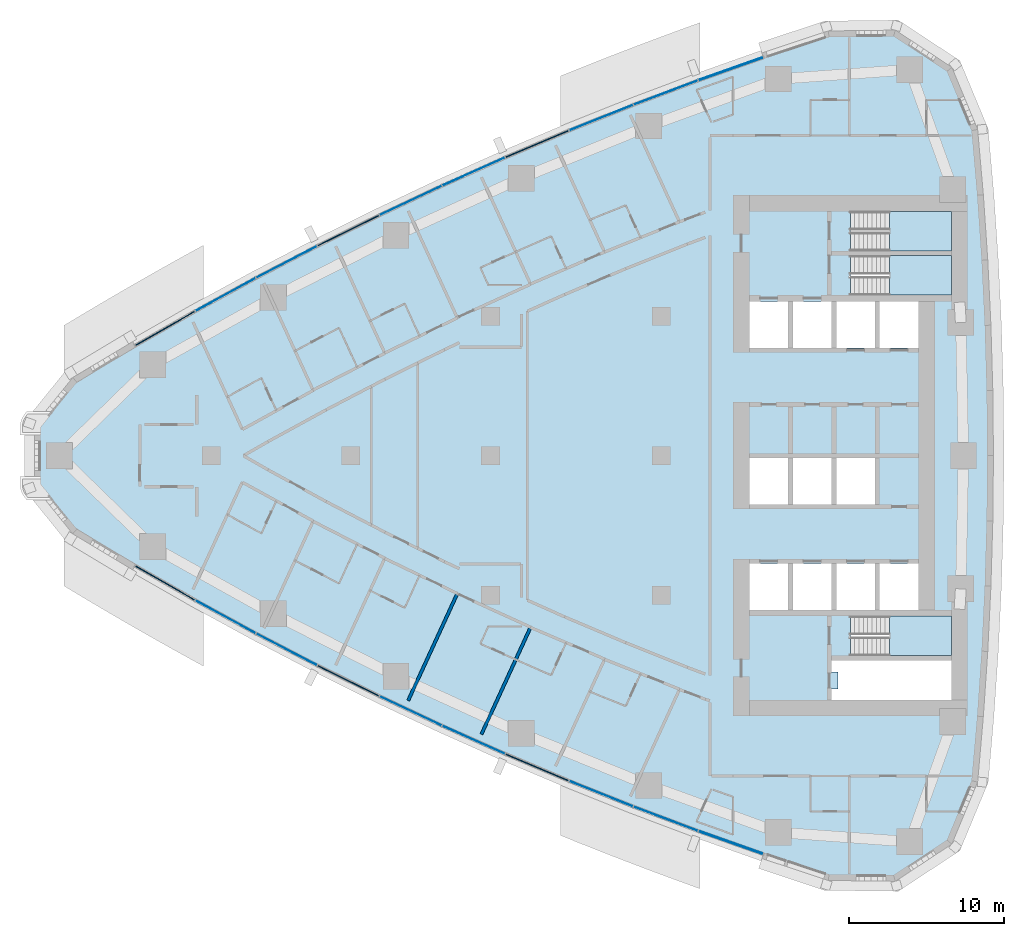
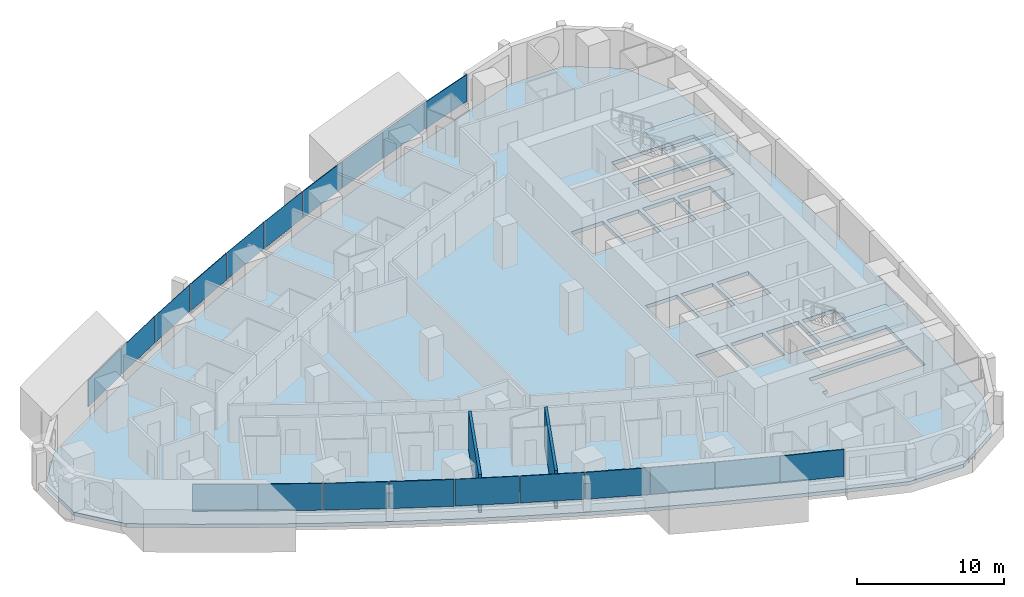
# One storey, part 7 of 17: 20 plates, 4 slabs, 2 walls, 1 opening, 13 elements without a shape of their own.
"""IFC4 building model written with IfcOpenShell, lengths in metres."""

from ifc_helpers import new_model, si_unit, direction, frame, frame_2d, origin, origin_2d, place, context, subcontext, project, spatial, polyline, rectangle, outline, extrude, material, layer, layer_set, type_object, element, aggregate, save


model = new_model("IFC4")

# Units and contexts
model_context = context("Model", 3, precision=1e-05, world=origin(), true_north=direction((0.0, 1.0)))
body_context = subcontext(model_context, "Body", "Model", "MODEL_VIEW")
ifc_project = project(units=[si_unit("LENGTHUNIT", "METRE"), si_unit("AREAUNIT", "SQUARE_METRE"), si_unit("VOLUMEUNIT", "CUBIC_METRE"), si_unit("PLANEANGLEUNIT", "RADIAN"), si_unit("MASSUNIT", "GRAM", prefix="KILO")], contexts=[model_context])

# Site, building, storey
site_placement = place(None, origin())
site = spatial("IfcSite", under=ifc_project, at=site_placement, CompositionType="ELEMENT")
building_placement = place(site_placement, origin())
building = spatial("IfcBuilding", under=site, at=building_placement, Name="Ostrand Prow Hotel Tower", CompositionType="ELEMENT")
storey_placement = place(building_placement, frame((0.0, 0.0, 116.85009765625)))
storey = spatial("IfcBuildingStorey", under=building, at=storey_placement, Name="L28", CompositionType="ELEMENT", Elevation=116.85009765625)

# Curtain wall, plate
ifc_material_1 = material(Name="Insulated glass in bronze anodised frame", Category="glass")
ifc_layer_1 = layer(ifc_material_1, 0.199951171875)
ifc_layer_set_1 = layer_set([ifc_layer_1], Name="Insulated glass in bronze anodised frame")
curtain_wall_type = type_object("IfcCurtainWallType", Name="Strip curtain wall, fritted glass over bronze spandrel", PredefinedType="NOTDEFINED", material=ifc_layer_set_1)
curtain_wall_1_placement = place(storey_placement, origin())
curtain_wall_1 = element("IfcCurtainWall", 1, at=curtain_wall_1_placement, inside=storey, type_object=curtain_wall_type, Name="CW1 run CWS1", PredefinedType="NOTDEFINED")
ifc_material_2 = material(Name="Ceramic-fritted glass", Category="glass")
ifc_layer_2 = layer(ifc_material_2, 0.031982421875)
ifc_layer_set_2 = layer_set([ifc_layer_2], Name="Ceramic-fritted glass")
plate_type_1 = type_object("IfcPlateType", Name="Dot-fritted ceramic glass unit 32 mm", PredefinedType="CURTAIN_PANEL", material=ifc_layer_set_2)
plate_1_placement = place(storey_placement, frame((16.910888671875, -10.39111328125, 1.02001953125), z_axis=(0.0, 0.0, 1.0), x_axis=(0.877466978439, -0.479637052103, 0.0)))
plate_1 = element("IfcPlate", 2, at=plate_1_placement, type_object=plate_type_1, Name="CW1 PN-D panel 2.2", PredefinedType="CURTAIN_PANEL", context=body_context, shape_type="SweptSolid", body=[
    extrude(rectangle(XDim=4.406005859375, YDim=0.031982421875, at=origin_2d()), origin(), (0.0, 0.0, 1.0), 2.22998046875),
])

curtain_wall_2_placement = place(storey_placement, origin())
curtain_wall_2 = element("IfcCurtainWall", 3, at=curtain_wall_2_placement, inside=storey, type_object=curtain_wall_type, Name="CW1 run CWS2", PredefinedType="NOTDEFINED")
plate_2_placement = place(storey_placement, frame((20.8505859375, -12.49365234375, 1.02001953125), z_axis=(0.0, 0.0, 1.0), x_axis=(0.886896367661, -0.461968432937, 0.0)))
plate_2 = element("IfcPlate", 4, at=plate_2_placement, type_object=plate_type_1, Name="CW1 PN-D panel 1.2", PredefinedType="CURTAIN_PANEL", context=body_context, shape_type="SweptSolid", body=[
    extrude(rectangle(XDim=4.406005859375, YDim=0.031982421875, at=origin_2d()), origin(), (0.0, 0.0, 1.0), 2.22998046875),
])

# Curtain wall, plates
curtain_wall_3_placement = place(storey_placement, origin())
curtain_wall_3 = element("IfcCurtainWall", 5, at=curtain_wall_3_placement, inside=storey, type_object=curtain_wall_type, Name="CW1 run CWS3", PredefinedType="NOTDEFINED")
plate_3_placement = place(storey_placement, frame((28.852783203125, -16.4599609375, 1.02001953125), z_axis=(0.0, 0.0, 1.0), x_axis=(0.904685808958, -0.426079320162, 0.0)))
plate_3 = element("IfcPlate", 6, at=plate_3_placement, type_object=plate_type_1, Name="CW1 PN-D panel 1.2", PredefinedType="CURTAIN_PANEL", context=body_context, shape_type="SweptSolid", body=[
    extrude(rectangle(XDim=4.406005859375, YDim=0.031982421875, at=origin_2d()), origin(), (0.0, 0.0, 1.0), 2.22998046875),
])
plate_4_placement = place(storey_placement, frame((32.911865234375, -18.322265625, 1.02001953125), z_axis=(0.0, 0.0, 1.0), x_axis=(0.913037887435, -0.407874755419, 0.0)))
plate_4 = element("IfcPlate", 7, at=plate_4_placement, type_object=plate_type_1, Name="CW1 PN-D panel 2.2", PredefinedType="CURTAIN_PANEL", context=body_context, shape_type="SweptSolid", body=[
    extrude(rectangle(XDim=4.406005859375, YDim=0.031982421875, at=origin_2d()), origin(), (0.0, 0.0, 1.0), 2.22998046875),
])
aggregate(curtain_wall_3, [plate_3, plate_4])

# Curtain wall, plate
curtain_wall_4_placement = place(storey_placement, origin())
curtain_wall_4 = element("IfcCurtainWall", 8, at=curtain_wall_4_placement, inside=storey, type_object=curtain_wall_type, Name="CW1 run CWS4", PredefinedType="NOTDEFINED")
plate_5_placement = place(storey_placement, frame((41.137451171875, -21.801025390625, 1.02001953125), z_axis=(0.0, 0.0, 1.0), x_axis=(0.928640008649, -0.370982121315, 0.0)))
plate_5 = element("IfcPlate", 9, at=plate_5_placement, type_object=plate_type_1, Name="CW1 PN-D panel 2.2", PredefinedType="CURTAIN_PANEL", context=body_context, shape_type="SweptSolid", body=[
    extrude(rectangle(XDim=4.406005859375, YDim=0.031982421875, at=origin_2d()), origin(), (0.0, 0.0, 1.0), 2.22998046875),
])

curtain_wall_5_placement = place(storey_placement, origin())
curtain_wall_5 = element("IfcCurtainWall", 10, at=curtain_wall_5_placement, inside=storey, type_object=curtain_wall_type, Name="CW1 run CWS5", PredefinedType="NOTDEFINED")
plate_6_placement = place(storey_placement, frame((45.301025390625, -23.416015625, 1.02001953125), z_axis=(0.0, 0.0, 1.0), x_axis=(0.935883792387, -0.35230885193, 0.0)))
plate_6 = element("IfcPlate", 11, at=plate_6_placement, type_object=plate_type_1, Name="CW1 PN-D panel 1.2", PredefinedType="CURTAIN_PANEL", context=body_context, shape_type="SweptSolid", body=[
    extrude(rectangle(XDim=4.406005859375, YDim=0.031982421875, at=origin_2d()), origin(), (0.0, 0.0, 1.0), 2.22998046875),
])

curtain_wall_6_placement = place(storey_placement, origin())
curtain_wall_6 = element("IfcCurtainWall", 12, at=curtain_wall_6_placement, inside=storey, type_object=curtain_wall_type, Name="CW1 run CWN1", PredefinedType="NOTDEFINED")
plate_7_placement = place(storey_placement, frame((45.301025390625, 23.416015625, 1.02001953125), z_axis=(0.0, 0.0, 1.0), x_axis=(-0.935883792387, -0.35230885193, 0.0)))
plate_7 = element("IfcPlate", 13, at=plate_7_placement, type_object=plate_type_1, Name="CW1 PN-D panel 2.2", PredefinedType="CURTAIN_PANEL", context=body_context, shape_type="SweptSolid", body=[
    extrude(rectangle(XDim=4.406005859375, YDim=0.031982421875, at=origin_2d()), origin(), (0.0, 0.0, 1.0), 2.22998046875),
])

curtain_wall_7_placement = place(storey_placement, origin())
curtain_wall_7 = element("IfcCurtainWall", 14, at=curtain_wall_7_placement, inside=storey, type_object=curtain_wall_type, Name="CW1 run CWN2", PredefinedType="NOTDEFINED")
plate_8_placement = place(storey_placement, frame((41.137451171875, 21.801025390625, 1.02001953125), z_axis=(0.0, 0.0, 1.0), x_axis=(-0.928640008649, -0.370982121315, 0.0)))
plate_8 = element("IfcPlate", 15, at=plate_8_placement, type_object=plate_type_1, Name="CW1 PN-D panel 1.2", PredefinedType="CURTAIN_PANEL", context=body_context, shape_type="SweptSolid", body=[
    extrude(rectangle(XDim=4.406005859375, YDim=0.031982421875, at=origin_2d()), origin(), (0.0, 0.0, 1.0), 2.22998046875),
])

# Curtain wall, plates
curtain_wall_8_placement = place(storey_placement, origin())
curtain_wall_8 = element("IfcCurtainWall", 16, at=curtain_wall_8_placement, inside=storey, type_object=curtain_wall_type, Name="CW1 run CWN3", PredefinedType="NOTDEFINED")
plate_9_placement = place(storey_placement, frame((32.911865234375, 18.322265625, 1.02001953125), z_axis=(0.0, 0.0, 1.0), x_axis=(-0.913037887435, -0.407874755419, 0.0)))
plate_9 = element("IfcPlate", 17, at=plate_9_placement, type_object=plate_type_1, Name="CW1 PN-D panel 1.2", PredefinedType="CURTAIN_PANEL", context=body_context, shape_type="SweptSolid", body=[
    extrude(rectangle(XDim=4.406005859375, YDim=0.031982421875, at=origin_2d()), origin(), (0.0, 0.0, 1.0), 2.22998046875),
])
plate_10_placement = place(storey_placement, frame((28.852783203125, 16.4599609375, 1.02001953125), z_axis=(0.0, 0.0, 1.0), x_axis=(-0.904685808958, -0.426079320162, 0.0)))
plate_10 = element("IfcPlate", 18, at=plate_10_placement, type_object=plate_type_1, Name="CW1 PN-D panel 2.2", PredefinedType="CURTAIN_PANEL", context=body_context, shape_type="SweptSolid", body=[
    extrude(rectangle(XDim=4.406005859375, YDim=0.031982421875, at=origin_2d()), origin(), (0.0, 0.0, 1.0), 2.22998046875),
])
aggregate(curtain_wall_8, [plate_9, plate_10])

# Curtain wall, plate
curtain_wall_9_placement = place(storey_placement, origin())
curtain_wall_9 = element("IfcCurtainWall", 19, at=curtain_wall_9_placement, inside=storey, type_object=curtain_wall_type, Name="CW1 run CWN4", PredefinedType="NOTDEFINED")
plate_11_placement = place(storey_placement, frame((20.8505859375, 12.49365234375, 1.02001953125), z_axis=(0.0, 0.0, 1.0), x_axis=(-0.886896367661, -0.461968432937, 0.0)))
plate_11 = element("IfcPlate", 20, at=plate_11_placement, type_object=plate_type_1, Name="CW1 PN-D panel 2.2", PredefinedType="CURTAIN_PANEL", context=body_context, shape_type="SweptSolid", body=[
    extrude(rectangle(XDim=4.406005859375, YDim=0.031982421875, at=origin_2d()), origin(), (0.0, 0.0, 1.0), 2.22998046875),
])

curtain_wall_10_placement = place(storey_placement, origin())
curtain_wall_10 = element("IfcCurtainWall", 21, at=curtain_wall_10_placement, inside=storey, type_object=curtain_wall_type, Name="CW1 run CWN5", PredefinedType="NOTDEFINED")
plate_12_placement = place(storey_placement, frame((16.910888671875, 10.39111328125, 1.02001953125), z_axis=(0.0, 0.0, 1.0), x_axis=(-0.877466978439, -0.479637052103, 0.0)))
plate_12 = element("IfcPlate", 22, at=plate_12_placement, type_object=plate_type_1, Name="CW1 PN-D panel 1.2", PredefinedType="CURTAIN_PANEL", context=body_context, shape_type="SweptSolid", body=[
    extrude(rectangle(XDim=4.406005859375, YDim=0.031982421875, at=origin_2d()), origin(), (0.0, 0.0, 1.0), 2.22998046875),
])

# Plate
ifc_material_3 = material(Name="Fritted glass in bronze vent frame", Category="glass")
ifc_layer_3 = layer(ifc_material_3, 0.06005859375)
ifc_layer_set_3 = layer_set([ifc_layer_3], Name="Fritted glass in bronze vent frame")
plate_type_2 = type_object("IfcPlateType", Name="Operable vent panel 60 mm", PredefinedType="CURTAIN_PANEL", material=ifc_layer_set_3)
plate_13_placement = place(storey_placement, frame((13.013916015625, -8.2099609375, 1.02001953125), z_axis=(0.0, 0.0, 1.0), x_axis=(0.867684775301, -0.497114806368, 0.0)))
plate_13 = element("IfcPlate", 23, at=plate_13_placement, type_object=plate_type_2, Name="CW1 PN-O panel 1.2", PredefinedType="CURTAIN_PANEL", context=body_context, shape_type="SweptSolid", body=[
    extrude(rectangle(XDim=4.406005859375, YDim=0.06005859375, at=origin_2d()), origin(), (0.0, 0.0, 1.0), 2.22998046875),
])

aggregate(curtain_wall_1, [plate_13, plate_1])

plate_14_placement = place(storey_placement, frame((24.831787109375, -14.516845703125, 1.02001953125), z_axis=(0.0, 0.0, 1.0), x_axis=(0.895970803653, -0.44411295748, 0.0)))
plate_14 = element("IfcPlate", 24, at=plate_14_placement, type_object=plate_type_2, Name="CW1 PN-O panel 2.2", PredefinedType="CURTAIN_PANEL", context=body_context, shape_type="SweptSolid", body=[
    extrude(rectangle(XDim=4.406005859375, YDim=0.06005859375, at=origin_2d()), origin(), (0.0, 0.0, 1.0), 2.22998046875),
])

aggregate(curtain_wall_2, [plate_2, plate_14])

plate_15_placement = place(storey_placement, frame((37.007080078125, -20.102783203125, 1.02001953125), z_axis=(0.0, 0.0, 1.0), x_axis=(0.921023688536, -0.389506566255, 0.0)))
plate_15 = element("IfcPlate", 25, at=plate_15_placement, type_object=plate_type_2, Name="CW1 PN-O panel 1.2", PredefinedType="CURTAIN_PANEL", context=body_context, shape_type="SweptSolid", body=[
    extrude(rectangle(XDim=4.406005859375, YDim=0.06005859375, at=origin_2d()), origin(), (0.0, 0.0, 1.0), 2.22998046875),
])

aggregate(curtain_wall_4, [plate_15, plate_5])

plate_16_placement = place(storey_placement, frame((49.49609375, -24.947509765625, 1.02001953125), z_axis=(0.0, 0.0, 1.0), x_axis=(0.942751551748, -0.333495894542, 0.0)))
plate_16 = element("IfcPlate", 26, at=plate_16_placement, type_object=plate_type_2, Name="CW1 PN-O panel 2.2", PredefinedType="CURTAIN_PANEL", context=body_context, shape_type="SweptSolid", body=[
    extrude(rectangle(XDim=4.406005859375, YDim=0.06005859375, at=origin_2d()), origin(), (0.0, 0.0, 1.0), 2.22998046875),
])

aggregate(curtain_wall_5, [plate_6, plate_16])

plate_17_placement = place(storey_placement, frame((49.49609375, 24.947509765625, 1.02001953125), z_axis=(0.0, 0.0, 1.0), x_axis=(-0.942751551748, -0.333495894542, 0.0)))
plate_17 = element("IfcPlate", 27, at=plate_17_placement, type_object=plate_type_2, Name="CW1 PN-O panel 1.2", PredefinedType="CURTAIN_PANEL", context=body_context, shape_type="SweptSolid", body=[
    extrude(rectangle(XDim=4.406005859375, YDim=0.06005859375, at=origin_2d()), origin(), (0.0, 0.0, 1.0), 2.22998046875),
])

aggregate(curtain_wall_6, [plate_17, plate_7])

plate_18_placement = place(storey_placement, frame((37.007080078125, 20.102783203125, 1.02001953125), z_axis=(0.0, 0.0, 1.0), x_axis=(-0.921023688536, -0.389506566255, 0.0)))
plate_18 = element("IfcPlate", 28, at=plate_18_placement, type_object=plate_type_2, Name="CW1 PN-O panel 2.2", PredefinedType="CURTAIN_PANEL", context=body_context, shape_type="SweptSolid", body=[
    extrude(rectangle(XDim=4.406005859375, YDim=0.06005859375, at=origin_2d()), origin(), (0.0, 0.0, 1.0), 2.22998046875),
])

aggregate(curtain_wall_7, [plate_8, plate_18])

plate_19_placement = place(storey_placement, frame((24.831787109375, 14.516845703125, 1.02001953125), z_axis=(0.0, 0.0, 1.0), x_axis=(-0.895970803653, -0.44411295748, 0.0)))
plate_19 = element("IfcPlate", 29, at=plate_19_placement, type_object=plate_type_2, Name="CW1 PN-O panel 1.2", PredefinedType="CURTAIN_PANEL", context=body_context, shape_type="SweptSolid", body=[
    extrude(rectangle(XDim=4.406005859375, YDim=0.06005859375, at=origin_2d()), origin(), (0.0, 0.0, 1.0), 2.22998046875),
])

aggregate(curtain_wall_9, [plate_19, plate_11])

plate_20_placement = place(storey_placement, frame((13.013916015625, 8.2099609375, 1.02001953125), z_axis=(0.0, 0.0, 1.0), x_axis=(-0.867684775301, -0.497114806368, 0.0)))
plate_20 = element("IfcPlate", 30, at=plate_20_placement, type_object=plate_type_2, Name="CW1 PN-O panel 2.2", PredefinedType="CURTAIN_PANEL", context=body_context, shape_type="SweptSolid", body=[
    extrude(rectangle(XDim=4.406005859375, YDim=0.06005859375, at=origin_2d()), origin(), (0.0, 0.0, 1.0), 2.22998046875),
])

aggregate(curtain_wall_10, [plate_12, plate_20])

# Slab, opening
ifc_material_4 = material(Name="Concrete C40/50", Category="concrete")
ifc_layer_4 = layer(ifc_material_4, 0.300048828125)
ifc_layer_set_4 = layer_set([ifc_layer_4], Name="Concrete C40/50")
slab_type_1 = type_object("IfcSlabType", Name="PT flat plate 300 C40/50", PredefinedType="FLOOR", material=ifc_layer_set_4)
slab_1_placement = place(storey_placement, frame((0.0, 0.0, -0.300048828125)))
slab_1 = element("IfcSlab", 31, at=slab_1_placement, inside=storey, type_object=slab_type_1, Name="Floor slab L28-1", PredefinedType="FLOOR", context=body_context, shape_type="SweptSolid", body=[
    extrude(outline(polyline([(7.150390625, 4.879638671875), (11.01806640625, 7.19970703125), (14.89501953125, 9.4208984375), (18.81591796875, 11.56396484375), (22.77880859375, 13.628173828125), (26.7822265625, 15.61279296875), (30.82470703125, 17.5166015625), (34.904541015625, 19.339111328125), (39.02001953125, 21.07958984375), (43.16943359375, 22.7373046875), (47.351318359375, 24.311279296875), (51.563720703125, 25.801513671875), (55.839599609375, 27.218505859375), (60.05615234375, 27.271728515625), (63.6103515625, 24.932861328125), (65.2294921875, 21.039306640625), (65.598876953125, 16.81201171875), (65.883544921875, 12.614501953125), (66.087158203125, 8.412353515625), (66.209228515625, 4.206787109375), (66.25, 0.0), (66.209228515625, -4.206787109375), (66.087158203125, -8.412353515625), (65.883544921875, -12.614501953125), (65.598876953125, -16.81201171875), (65.2294921875, -21.039306640625), (63.6103515625, -24.932861328125), (60.05615234375, -27.271728515625), (55.839599609375, -27.218505859375), (51.563720703125, -25.801513671875), (47.351318359375, -24.311279296875), (43.16943359375, -22.7373046875), (39.02001953125, -21.07958984375), (34.904541015625, -19.339111328125), (30.82470703125, -17.5166015625), (26.7822265625, -15.61279296875), (22.77880859375, -13.628173828125), (18.81591796875, -11.56396484375), (14.89501953125, -9.4208984375), (11.01806640625, -7.19970703125), (7.150390625, -4.879638671875), (4.75830078125, -1.923583984375), (4.75830078125, 1.923583984375), (7.150390625, 4.879638671875)]), holes=[polyline([(50.699951171875, 6.949951171875), (53.199951171875, 6.949951171875), (53.199951171875, 9.949951171875), (50.699951171875, 9.949951171875), (50.699951171875, 6.949951171875)]), polyline([(53.5, 6.949951171875), (56.0, 6.949951171875), (56.0, 9.949951171875), (53.5, 9.949951171875), (53.5, 6.949951171875)]), polyline([(56.300048828125, 6.949951171875), (58.800048828125, 6.949951171875), (58.800048828125, 9.949951171875), (56.300048828125, 9.949951171875), (56.300048828125, 6.949951171875)]), polyline([(59.10009765625, 6.949951171875), (61.60009765625, 6.949951171875), (61.60009765625, 9.949951171875), (59.10009765625, 9.949951171875), (59.10009765625, 6.949951171875)]), polyline([(50.699951171875, -3.14990234375), (53.199951171875, -3.14990234375), (53.199951171875, -0.14990234375), (50.699951171875, -0.14990234375), (50.699951171875, -3.14990234375)]), polyline([(53.5, -3.14990234375), (56.0, -3.14990234375), (56.0, -0.14990234375), (53.5, -0.14990234375), (53.5, -3.14990234375)]), polyline([(56.300048828125, -3.14990234375), (58.800048828125, -3.14990234375), (58.800048828125, -0.14990234375), (56.300048828125, -0.14990234375), (56.300048828125, -3.14990234375)]), polyline([(50.699951171875, -9.949951171875), (53.199951171875, -9.949951171875), (53.199951171875, -6.949951171875), (50.699951171875, -6.949951171875), (50.699951171875, -9.949951171875)]), polyline([(53.5, -9.949951171875), (56.0, -9.949951171875), (56.0, -6.949951171875), (53.5, -6.949951171875), (53.5, -9.949951171875)]), polyline([(56.300048828125, -9.949951171875), (58.800048828125, -9.949951171875), (58.800048828125, -6.949951171875), (56.300048828125, -6.949951171875), (56.300048828125, -9.949951171875)]), polyline([(59.10009765625, -9.949951171875), (61.60009765625, -9.949951171875), (61.60009765625, -6.949951171875), (59.10009765625, -6.949951171875), (59.10009765625, -9.949951171875)]), polyline([(57.200927734375, 10.35107421875), (57.200927734375, 12.89892578125), (63.718994140625, 12.89892578125), (63.718994140625, 10.35107421875), (57.200927734375, 10.35107421875)]), polyline([(57.200927734375, 13.200927734375), (57.200927734375, 15.7490234375), (63.718994140625, 15.7490234375), (63.718994140625, 13.200927734375), (57.200927734375, 13.200927734375)]), polyline([(57.200927734375, -12.89892578125), (57.200927734375, -10.35107421875), (63.718994140625, -10.35107421875), (63.718994140625, -12.89892578125), (57.200927734375, -12.89892578125)]), polyline([(56.0, -13.199951171875), (63.719970703125, -13.199951171875), (63.719970703125, -15.75), (56.0, -15.75), (56.0, -15.050048828125), (56.39990234375, -15.050048828125), (56.39990234375, -13.949951171875), (56.0, -13.949951171875), (56.0, -13.199951171875)])]), origin(), (0.0, 0.0, 1.0), 0.300048828125),
])
opening_placement = place(slab_1_placement, origin())
element("IfcOpeningElement", 32, at=opening_placement, cuts=slab_1, Name="Shaft opening 1", PredefinedType="OPENING", context=body_context, shape_type="SweptSolid", body=[
    extrude(outline(polyline([(56.0, -13.199951171875), (63.719970703125, -13.199951171875), (63.719970703125, -15.75), (56.0, -15.75), (56.0, -15.050048828125), (56.39990234375, -15.050048828125), (56.39990234375, -13.949951171875), (56.0, -13.949951171875), (56.0, -13.199951171875)])), origin(), (0.0, 0.0, 1.0), 0.300048828125),
])

# Stair, slab
ifc_material_5 = material(Name="Concrete C40/50", Category="concrete")
stair_type = type_object("IfcStairType", Name="Exit stair 1200 upper zone", PredefinedType="HALF_TURN_STAIR", material=ifc_material_5)
stair_1_placement = place(storey_placement, origin())
stair_1 = element("IfcStair", 33, at=stair_1_placement, inside=storey, type_object=stair_type, Name="L28 ST1C", PredefinedType="HALF_TURN_STAIR")
ifc_material_6 = material(Name="Concrete C40/50", Category="concrete")
ifc_layer_5 = layer(ifc_material_6, 0.199951171875)
ifc_layer_set_5 = layer_set([ifc_layer_5], Name="Concrete C40/50")
slab_type_2 = type_object("IfcSlabType", Name="Stair landing 200 concrete", PredefinedType="LANDING", material=ifc_layer_set_5)
slab_2_placement = place(storey_placement, frame((0.0, 0.0, 1.574951171875)))
slab_2 = element("IfcSlab", 34, at=slab_2_placement, type_object=slab_type_2, Name="ST1C landing 1", PredefinedType="LANDING", context=body_context, shape_type="SweptSolid", body=[
    extrude(outline(polyline([(59.719970703125, 10.35009765625), (63.719970703125, 10.35009765625), (63.719970703125, 12.89990234375), (59.719970703125, 12.89990234375), (59.719970703125, 10.35009765625)])), origin(), (0.0, 0.0, 1.0), 0.199951171875),
])
aggregate(stair_1, [slab_2])

stair_2_placement = place(storey_placement, origin())
stair_2 = element("IfcStair", 35, at=stair_2_placement, inside=storey, type_object=stair_type, Name="L28 ST3C", PredefinedType="HALF_TURN_STAIR")
slab_3_placement = place(storey_placement, frame((0.0, 0.0, 1.574951171875)))
slab_3 = element("IfcSlab", 36, at=slab_3_placement, type_object=slab_type_2, Name="ST3C landing 1", PredefinedType="LANDING", context=body_context, shape_type="SweptSolid", body=[
    extrude(outline(polyline([(59.719970703125, 13.199951171875), (63.719970703125, 13.199951171875), (63.719970703125, 15.75), (59.719970703125, 15.75), (59.719970703125, 13.199951171875)])), origin(), (0.0, 0.0, 1.0), 0.199951171875),
])
aggregate(stair_2, [slab_3])

stair_3_placement = place(storey_placement, origin())
stair_3 = element("IfcStair", 37, at=stair_3_placement, inside=storey, type_object=stair_type, Name="L28 ST2C", PredefinedType="HALF_TURN_STAIR")
slab_4_placement = place(storey_placement, frame((0.0, 0.0, 1.574951171875)))
slab_4 = element("IfcSlab", 38, at=slab_4_placement, type_object=slab_type_2, Name="ST2C landing 1", PredefinedType="LANDING", context=body_context, shape_type="SweptSolid", body=[
    extrude(outline(polyline([(59.719970703125, -12.89990234375), (63.719970703125, -12.89990234375), (63.719970703125, -10.35009765625), (59.719970703125, -10.35009765625), (59.719970703125, -12.89990234375)])), origin(), (0.0, 0.0, 1.0), 0.199951171875),
])
aggregate(stair_3, [slab_4])

# Walls
ifc_material_7 = material(Name="Plasterboard partition")
ifc_layer_6 = layer(ifc_material_7, 0.199951171875)
ifc_layer_set_6 = layer_set([ifc_layer_6], Name="Plasterboard partition")
wall_type = type_object("IfcWallType", Name="Partition 200 key partition", PredefinedType="PARTITIONING", material=ifc_layer_set_6)
for number, where, z_axis, x_axis, name in (
    (39, (28.689697265625, -15.79248046875, 0.0), (0.0, 0.0, 1.0), (0.417429919618, 0.90870911859, 0.0), "KEY PARTITION"),
    (40, (33.41552734375, -17.9619140625, 0.0), (0.0, 0.0, 1.0), (0.417429919618, 0.90870911859, 0.0), "KEY PARTITION"),
):
    element("IfcWall", number, at=place(storey_placement, frame(where, z_axis=z_axis, x_axis=x_axis)), inside=storey, type_object=wall_type, Name=name, PredefinedType="PARTITIONING", context=body_context, shape_type="SweptSolid", body=[
        extrude(rectangle(XDim=7.600341796875, YDim=0.199951171875, at=frame_2d((3.80029296875, 0.0))), origin(), (0.0, 0.0, 1.0), 3.14990234375),
    ])

save(model, "model.ifc")
